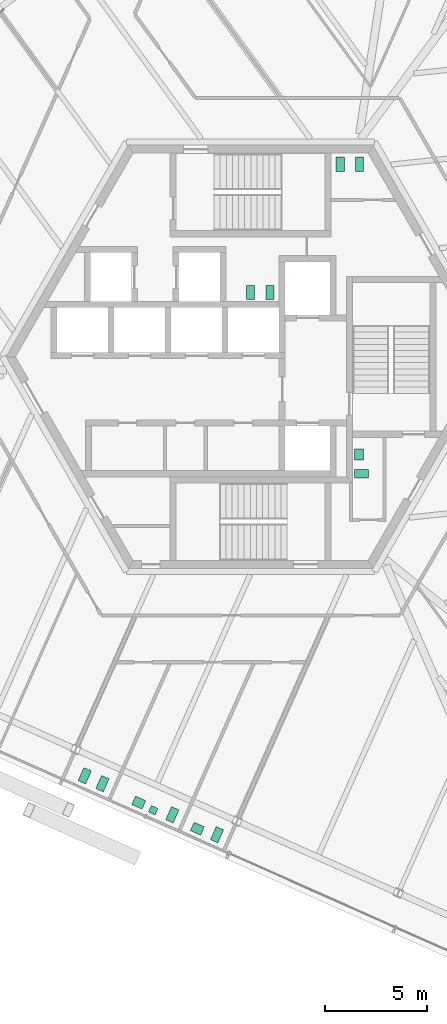
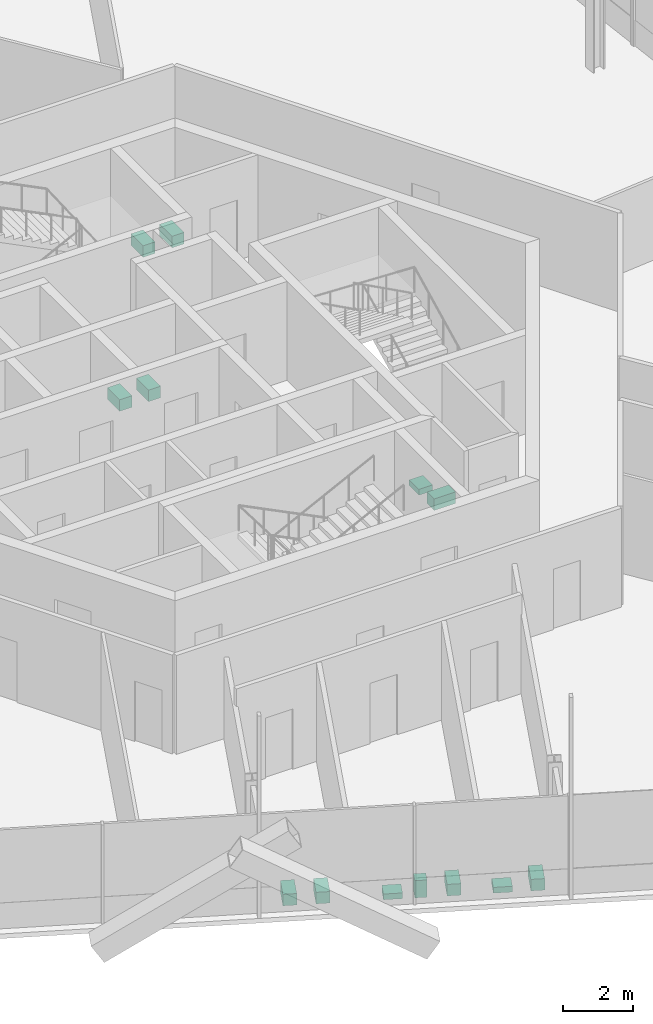
# One storey, part 19 of 21: 13 sanitary terminals.
"""IFC4 building model written with IfcOpenShell, lengths in metres."""

from ifc_helpers import new_model, si_unit, direction, frame, origin, origin_2d, place, context, subcontext, project, spatial, rectangle, extrude, source, transform, mapped, material, element, save


model = new_model("IFC4")

# Units and contexts
model_context = context("Model", 3, precision=1e-05, world=origin(), true_north=direction((0.0, 1.0)))
body_context = subcontext(model_context, "Body", "Model", "MODEL_VIEW")
ifc_project = project(units=[si_unit("LENGTHUNIT", "METRE"), si_unit("AREAUNIT", "SQUARE_METRE"), si_unit("VOLUMEUNIT", "CUBIC_METRE"), si_unit("PLANEANGLEUNIT", "RADIAN"), si_unit("MASSUNIT", "GRAM", prefix="KILO")], contexts=[model_context])

# Site, building, storey
site_placement = place(None, origin())
site = spatial("IfcSite", under=ifc_project, at=site_placement, CompositionType="ELEMENT")
building_placement = place(site_placement, origin())
building = spatial("IfcBuilding", under=site, at=building_placement, Name="Triune Harvest Tower", CompositionType="ELEMENT")
storey_placement = place(building_placement, frame((0.0, 0.0, 72.89990234375)))
storey = spatial("IfcBuildingStorey", under=building, at=storey_placement, Name="L17", CompositionType="ELEMENT", Elevation=72.89990234375)

# Sanitary terminals
ifc_material = material(Name="Vitreous china")
shared_shape_1 = source(origin(), body_context, "Body", "SweptSolid", [
    extrude(rectangle(XDim=0.39990234375, YDim=0.699951171875, at=origin_2d()), origin(), (0.0, 0.0, 1.0), 0.39990234375),
])
for number, where, z_axis, x_axis, name in (
    (1, (4.39990234375, 9.449951171875, 0.000244140625), (0.0, 0.0, 1.0), (1.0, 0.0, 0.0), "Toilet pan L17.c01"),
    (2, (5.35009765625, 9.449951171875, 0.000244140625), (0.0, 0.0, 1.0), (1.0, 0.0, 0.0), "Toilet pan L17.c02"),
    (3, (0.949951171875, 3.159912109375, 0.000244140625), (0.0, 0.0, 1.0), (-1.0, 0.0, 0.0), "Toilet pan L17.c03"),
    (4, (0.0, 3.159912109375, 0.000244140625), (0.0, 0.0, 1.0), (-1.0, 0.0, 0.0), "Toilet pan L17.c04"),
    (5, (5.449951171875, -5.739990234375, 0.000244140625), (0.0, 0.0, 1.0), (0.0, 1.0, 0.0), "Toilet pan L17.c05"),
    (6, (-7.2705078125, -20.951904296875, 0.000244140625), (0.0, 0.0, 1.0), (-0.91353835861, 0.40675258739, 0.0), "Toilet pan 01"),
    (7, (-8.138427734375, -20.5654296875, 0.000244140625), (0.0, 0.0, 1.0), (-0.91353835861, 0.40675258739, 0.0), "Toilet pan 02"),
    (8, (-3.838134765625, -22.480224609375, 0.000244140625), (0.0, 0.0, 1.0), (-0.913552556397, 0.406720698638, 0.0), "Toilet pan 03"),
    (9, (-1.6455078125, -23.456298828125, 0.000244140625), (0.0, 0.0, 1.0), (-0.91353835861, 0.40675258739, 0.0), "Toilet pan 06"),
):
    element("IfcSanitaryTerminal", number, at=place(storey_placement, frame(where, z_axis=z_axis, x_axis=x_axis)), inside=storey, material=ifc_material, Name=name, PredefinedType="TOILETPAN", context=body_context, shape_type="MappedRepresentation", body=[
        mapped(shared_shape_1, transform((0.0, 0.0, 0.0), scale=1.0)),
    ])
shared_shape_2 = source(origin(), body_context, "Body", "SweptSolid", [
    extrude(rectangle(XDim=0.35009765625, YDim=0.35009765625, at=origin_2d()), origin(), (0.0, 0.0, 1.0), 0.60009765625),
])
sanitary_terminal_placement = place(storey_placement, frame((-4.777099609375, -22.253662109375, 0.0), z_axis=(0.0, 0.0, 1.0), x_axis=(-0.913552556397, 0.406720698638, 0.0)))
element("IfcSanitaryTerminal", 10, at=sanitary_terminal_placement, inside=storey, material=ifc_material, Name="Urinal 04", PredefinedType="URINAL", context=body_context, shape_type="MappedRepresentation", body=[
    mapped(shared_shape_2, transform((0.0, 0.0, 0.0), scale=1.0)),
])
shared_shape_3 = source(origin(), body_context, "Body", "SweptSolid", [
    extrude(rectangle(XDim=0.550048828125, YDim=0.449951171875, at=origin_2d()), origin(), (0.0, 0.0, 1.0), 0.199951171875),
])
for number, where, z_axis, x_axis, name in (
    (11, (5.324951171875, -4.7900390625, 0.0), (0.0, 0.0, 1.0), (0.0, 1.0, 0.0), "Wash basin L17.c06"),
    (12, (-5.48779296875, -21.882568359375, 0.0), (0.0, 0.0, 1.0), (-0.913552556397, 0.406720698638, 0.0), "Wash basin 05"),
    (13, (-2.610107421875, -23.163818359375, 0.0), (0.0, 0.0, 1.0), (-0.91353835861, 0.40675258739, 0.0), "Wash basin 07"),
):
    element("IfcSanitaryTerminal", number, at=place(storey_placement, frame(where, z_axis=z_axis, x_axis=x_axis)), inside=storey, material=ifc_material, Name=name, PredefinedType="WASHHANDBASIN", context=body_context, shape_type="MappedRepresentation", body=[
        mapped(shared_shape_3, transform((0.0, 0.0, 0.0), scale=1.0)),
    ])

save(model, "model.ifc")
